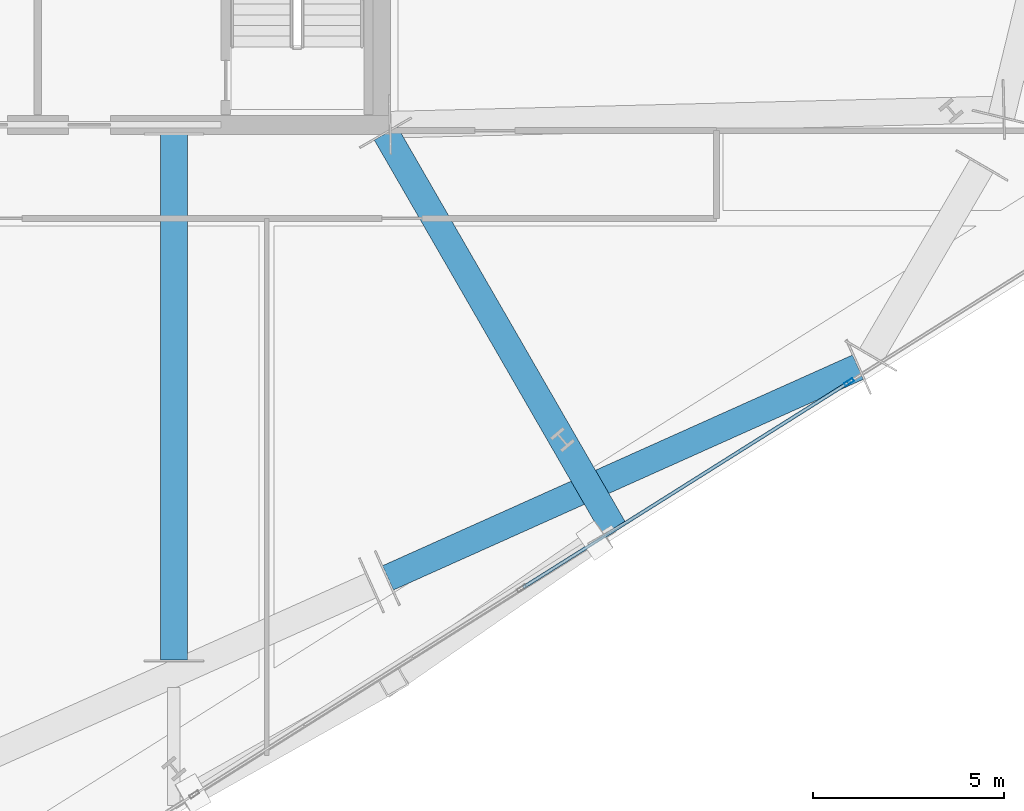
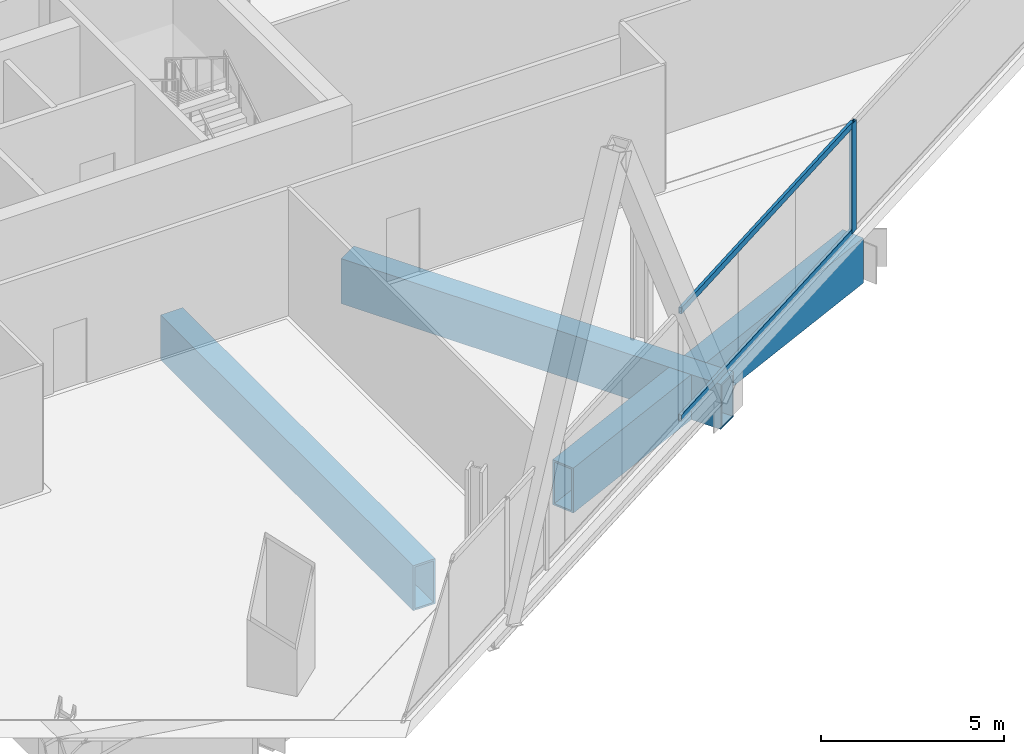
# One storey, part 6 of 29: 3 beams, 3 members, 1 element without a shape of its own.
"""IFC4 building model written with IfcOpenShell, lengths in metres."""

from ifc_helpers import new_model, si_unit, direction, frame, origin, origin_2d, place, context, subcontext, project, spatial, hollow_rectangle, extrude, material, material_profile, profile_set, type_object, element, aggregate, save


model = new_model("IFC4")

# Units and contexts
model_context = context("Model", 3, precision=1e-05, world=origin(), true_north=direction((0.0, 1.0)))
body_context = subcontext(model_context, "Body", "Model", "MODEL_VIEW")
ifc_project = project(units=[si_unit("LENGTHUNIT", "METRE"), si_unit("AREAUNIT", "SQUARE_METRE"), si_unit("VOLUMEUNIT", "CUBIC_METRE"), si_unit("PLANEANGLEUNIT", "RADIAN"), si_unit("MASSUNIT", "GRAM", prefix="KILO")], contexts=[model_context])

# Site, building, storey
site_placement = place(None, origin())
site = spatial("IfcSite", under=ifc_project, at=site_placement, CompositionType="ELEMENT")
building_placement = place(site_placement, origin())
building = spatial("IfcBuilding", under=site, at=building_placement, Name="Haldenkirk Collegiate Tower", CompositionType="ELEMENT")
storey_placement = place(building_placement, frame((0.0, 0.0, 136.199951171875)))
storey = spatial("IfcBuildingStorey", under=building, at=storey_placement, Name="L33", CompositionType="ELEMENT", Elevation=136.199951171875)

# Beams
ifc_material_1 = material(Name="Steel ASTM A572 Grade 50", Category="steel")
ifc_material_profile_1 = material_profile(ifc_material_1, hollow_rectangle(XDim=0.699951171875, YDim=1.5, WallThickness=0.06005859375, at=origin_2d()), Name="BOX1500X700X60")
ifc_profile_set_1 = profile_set([ifc_material_profile_1], Name="Steel ASTM A572 Grade 50")
beam_type = type_object("IfcBeamType", Name="BM-TRANSFER-BOX1500X700X60", PredefinedType="BEAM", material=ifc_profile_set_1)
beam_1_placement = place(storey_placement, frame((45.183837890625, 6.1171875, -1.14990234375), z_axis=(0.912476765144, 0.409128528793, 0.0), x_axis=(-0.409128528793, 0.912476765144, 0.0)))
element("IfcBeam", 1, at=beam_1_placement, inside=storey, type_object=beam_type, Name="L33 sky-lobby perimeter transfer girder 03", PredefinedType="BEAM", context=body_context, shape_type="SweptSolid", body=[
    extrude(hollow_rectangle(XDim=0.699951171875, YDim=1.5, WallThickness=0.06005859375, at=origin_2d()), origin(), (0.0, 0.0, 1.0), 13.512939453125),
])
beam_2_placement = place(storey_placement, frame((39.568603515625, 3.95947265625, -1.14990234375), z_axis=(0.0, 1.0, 0.0), x_axis=(-1.0, 0.0, 0.0)))
element("IfcBeam", 2, at=beam_2_placement, inside=storey, type_object=beam_type, Name="L33 sky-lobby radial transfer girder 05", PredefinedType="BEAM", context=body_context, shape_type="SweptSolid", body=[
    extrude(hollow_rectangle(XDim=0.699951171875, YDim=1.5, WallThickness=0.06005859375, at=origin_2d()), origin(), (0.0, 0.0, 1.0), 13.78564453125),
])
beam_3_placement = place(storey_placement, frame((51.107421875, 7.411376953125, -1.14990234375), z_axis=(-0.499636510928, 0.866235162613, 0.0), x_axis=(-0.866235162613, -0.499636510928, 0.0)))
element("IfcBeam", 3, at=beam_3_placement, inside=storey, type_object=beam_type, Name="L33 sky-lobby radial transfer girder 06", PredefinedType="BEAM", context=body_context, shape_type="SweptSolid", body=[
    extrude(hollow_rectangle(XDim=0.699951171875, YDim=1.5, WallThickness=0.06005859375, at=origin_2d()), origin(), (0.0, 0.0, 1.0), 11.96875),
])

# Curtain wall, members
ifc_material_2 = material(Name="Anodised architectural bronze aluminium", Category="aluminium")
curtain_wall_type = type_object("IfcCurtainWallType", Name="CW-SYS4-SKYGARDEN", PredefinedType="USERDEFINED", material=ifc_material_2)
curtain_wall_placement = place(storey_placement, origin())
curtain_wall = element("IfcCurtainWall", 4, at=curtain_wall_placement, inside=storey, type_object=curtain_wall_type, Name="L33 Sky-garden tall bronze curtain wall", ObjectType="UNITISED CURTAIN WALL", PredefinedType="USERDEFINED")
ifc_material_profile_2 = material_profile(ifc_material_2, hollow_rectangle(XDim=0.090087890625, YDim=0.260009765625, WallThickness=0.0048828125, at=origin_2d()), Name="CW-MUL-04")
ifc_profile_set_2 = profile_set([ifc_material_profile_2], Name="Anodised architectural bronze aluminium")
member_type_1 = type_object("IfcMemberType", Name="CW-MUL-04", PredefinedType="MULLION", material=ifc_profile_set_2)
member_1_placement = place(storey_placement, frame((57.281982421875, 11.25244140625, 0.0), z_axis=(0.0, 0.0, 1.0), x_axis=(0.532875393956, -0.846193721624, 0.0)))
member_1 = element("IfcMember", 5, at=member_1_placement, type_object=member_type_1, Name="CW-04 mullion 2", PredefinedType="MULLION", context=body_context, shape_type="SweptSolid", body=[
    extrude(hollow_rectangle(XDim=0.090087890625, YDim=0.260009765625, WallThickness=0.0048828125, at=origin_2d()), origin(), (0.0, 0.0, 1.0), 3.6611328125),
])
ifc_material_profile_3 = material_profile(ifc_material_2, hollow_rectangle(XDim=0.090087890625, YDim=0.2099609375, WallThickness=0.0048828125, at=origin_2d()), Name="CW-TRN-04")
ifc_profile_set_3 = profile_set([ifc_material_profile_3], Name="Anodised architectural bronze aluminium")
member_type_2 = type_object("IfcMemberType", Name="CW-TRN-04", PredefinedType="USERDEFINED", material=ifc_profile_set_3)
member_2_placement = place(storey_placement, frame((57.243896484375, 11.228271484375, 0.045166015625), z_axis=(-0.846199200818, -0.532866693024, 0.0), x_axis=(0.532866693024, -0.846199200818, 0.0)))
member_2 = element("IfcMember", 6, at=member_2_placement, type_object=member_type_2, Name="CW-04 transom 2.1", ObjectType="TRANSOM", PredefinedType="USERDEFINED", context=body_context, shape_type="SweptSolid", body=[
    extrude(hollow_rectangle(XDim=0.090087890625, YDim=0.2099609375, WallThickness=0.0048828125, at=origin_2d()), origin(), (0.0, 0.0, 1.0), 10.059814453125),
])
member_3_placement = place(storey_placement, frame((57.243896484375, 11.228271484375, 3.615966796875), z_axis=(-0.846199200818, -0.532866693024, 0.0), x_axis=(0.532866693024, -0.846199200818, 0.0)))
member_3 = element("IfcMember", 7, at=member_3_placement, type_object=member_type_2, Name="CW-04 transom 2.2", ObjectType="TRANSOM", PredefinedType="USERDEFINED", context=body_context, shape_type="SweptSolid", body=[
    extrude(hollow_rectangle(XDim=0.090087890625, YDim=0.2099609375, WallThickness=0.0048828125, at=origin_2d()), origin(), (0.0, 0.0, 1.0), 10.059814453125),
])
aggregate(curtain_wall, [member_1, member_2, member_3])

save(model, "model.ifc")
